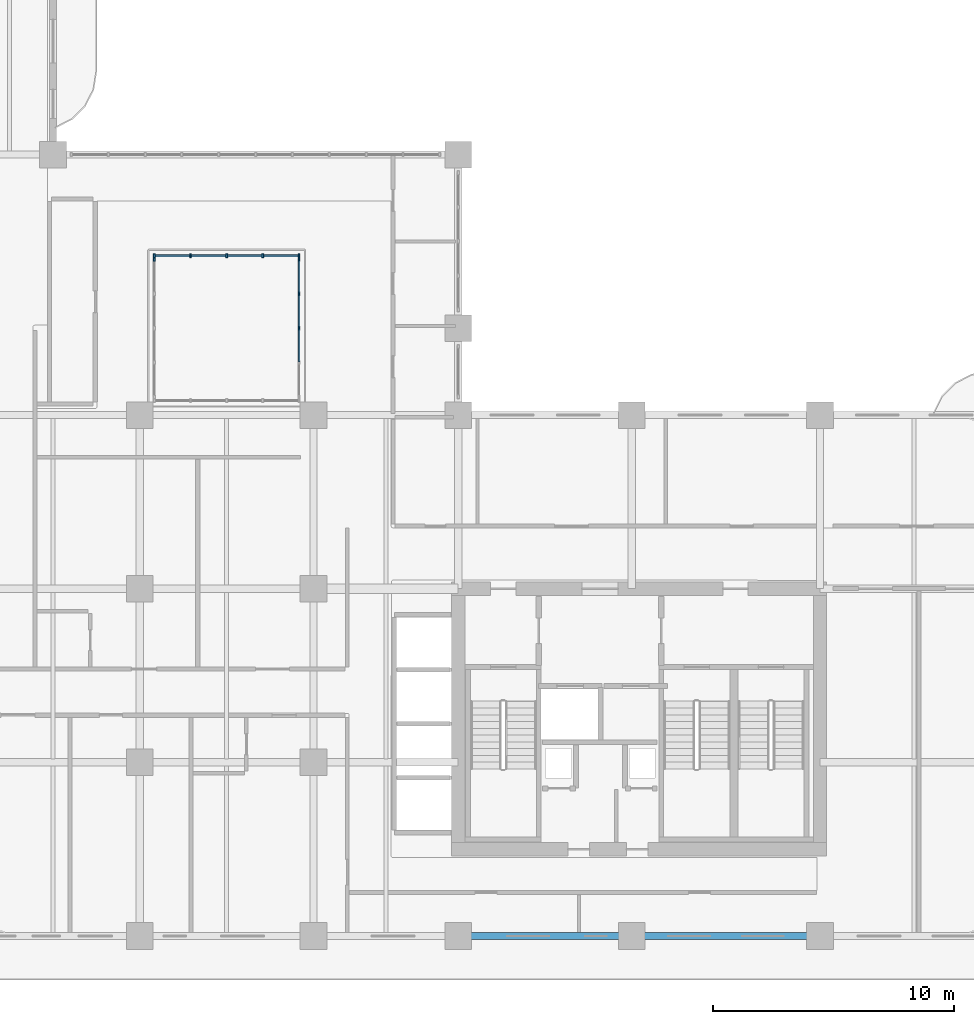
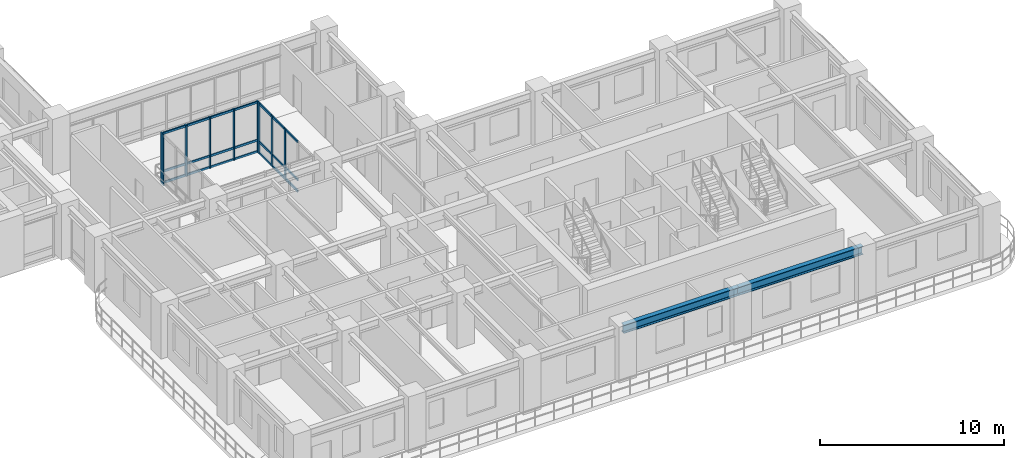
# One storey, part 3 of 19: 30 members, 2 beams, 3 elements without a shape of their own.
"""IFC4 building model written with IfcOpenShell, lengths in metres."""

from ifc_helpers import new_model, si_unit, derived_unit, direction, frame, origin, origin_2d, place, context, subcontext, project, spatial, rectangle, i_section, extrude, source, transform, mapped, material, layer, layer_set, material_profile, profile_set, type_object, element, aggregate, save


model = new_model("IFC4")

# Units and contexts
model_context = context("Model", 3, precision=1e-05, world=origin(), true_north=direction((0.0, 1.0)))
body_context = subcontext(model_context, "Body", "Model", "MODEL_VIEW")
ifc_project = project(units=[si_unit("LENGTHUNIT", "METRE"), si_unit("AREAUNIT", "SQUARE_METRE"), si_unit("VOLUMEUNIT", "CUBIC_METRE"), si_unit("PLANEANGLEUNIT", "RADIAN"), si_unit("MASSUNIT", "GRAM", prefix="KILO"), si_unit("THERMODYNAMICTEMPERATUREUNIT", "KELVIN"), si_unit("POWERUNIT", "WATT"), derived_unit("THERMALTRANSMITTANCEUNIT", [(si_unit("POWERUNIT", "WATT"), 1), (si_unit("AREAUNIT", "SQUARE_METRE"), -1), (si_unit("THERMODYNAMICTEMPERATUREUNIT", "KELVIN"), -1)])], contexts=[model_context])

# Site, building, storey
site_placement = place(None, origin())
site = spatial("IfcSite", under=ifc_project, at=site_placement, CompositionType="ELEMENT")
building_placement = place(site_placement, origin())
building = spatial("IfcBuilding", under=site, at=building_placement, Name="Zahravan Archway Hotel and Residences", CompositionType="ELEMENT")
storey_placement = place(building_placement, frame((0.0, 0.0, 102.699951171875)))
storey = spatial("IfcBuildingStorey", under=building, at=storey_placement, Name="L25", CompositionType="ELEMENT", Elevation=102.699951171875)

# Beams
ifc_material_1 = material(Name="Structural Steel S355JR", Category="steel")
ifc_material_profile_1 = material_profile(ifc_material_1, i_section(OverallWidth=0.300048828125, OverallDepth=0.550048828125, WebThickness=0.014892578125, FlangeThickness=0.029052734375, FilletRadius=0.027099609375, at=origin_2d()), Name="HEB 550", Category="steel")
ifc_profile_set_1 = profile_set([ifc_material_profile_1], Name="Structural Steel S355JR")
beam_type = type_object("IfcBeamType", Name="BM-PRI-HEB550", PredefinedType="BEAM", material=ifc_profile_set_1)
shared_shape_1 = source(origin(), body_context, "Body", "SweptSolid", [
    extrude(i_section(OverallWidth=0.300048828125, OverallDepth=0.550048828125, WebThickness=0.014892578125, FlangeThickness=0.029052734375, FilletRadius=0.027099609375, at=origin_2d()), origin(), (0.0, 0.0, 1.0), 7.199951171875),
])
beam_1_placement = place(storey_placement, frame((34.800048828125, 0.0, 3.125), z_axis=(1.0, 0.0, 0.0), x_axis=(0.0, 1.0, 0.0)))
element("IfcBeam", 1, at=beam_1_placement, inside=storey, type_object=beam_type, Name="L25 Primary Girder EW-04", PredefinedType="BEAM", context=body_context, shape_type="MappedRepresentation", body=[
    mapped(shared_shape_1, transform((0.0, 0.0, 0.0), scale=1.0)),
])
shared_shape_2 = source(origin(), body_context, "Body", "SweptSolid", [
    extrude(i_section(OverallWidth=0.300048828125, OverallDepth=0.550048828125, WebThickness=0.014892578125, FlangeThickness=0.029052734375, FilletRadius=0.027099609375, at=origin_2d()), origin(), (0.0, 0.0, 1.0), 7.800048828125),
])
beam_2_placement = place(storey_placement, frame((42.0, 0.0, 3.125), z_axis=(1.0, 0.0, 0.0), x_axis=(0.0, 1.0, 0.0)))
element("IfcBeam", 2, at=beam_2_placement, inside=storey, type_object=beam_type, Name="L25 Primary Girder EW-05", PredefinedType="BEAM", context=body_context, shape_type="MappedRepresentation", body=[
    mapped(shared_shape_2, transform((0.0, 0.0, 0.0), scale=1.0)),
])

# Curtain wall, members
ifc_material_2 = material(Name="Bronze-Anodized Unitised Aluminium & Low-E Glass", Category="aluminium")
ifc_layer = layer(ifc_material_2, 0.179931640625, Name="Bronze-Anodized Unitised Aluminium & Low-E Glass", Category="aluminium")
ifc_layer_set = layer_set([ifc_layer], Name="Bronze-Anodized Unitised Aluminium & Low-E Glass")
curtain_wall_type = type_object("IfcCurtainWallType", Name="CW-ATR-GLAZ", PredefinedType="NOTDEFINED", material=ifc_layer_set)
curtain_wall_1_placement = place(storey_placement, origin())
curtain_wall_1 = element("IfcCurtainWall", 3, at=curtain_wall_1_placement, inside=storey, type_object=curtain_wall_type, Name="L25 Curtain Wall CW-ATR-L25-N-1", PredefinedType="NOTDEFINED")
ifc_material_3 = material(Name="Bronze-Anodized Extruded Aluminium", Category="aluminium")
ifc_material_profile_2 = material_profile(ifc_material_3, rectangle(XDim=0.080078125, YDim=0.139892578125, at=origin_2d()), Name="TRN 80x140", Category="aluminium")
ifc_profile_set_2 = profile_set([ifc_material_profile_2], Name="Bronze-Anodized Extruded Aluminium")
member_type_1 = type_object("IfcMemberType", Name="CWM-TRN-140", PredefinedType="USERDEFINED", material=ifc_profile_set_2)
shared_shape_3 = source(origin(), body_context, "Body", "SweptSolid", [
    extrude(rectangle(XDim=0.080078125, YDim=0.139892578125, at=origin_2d()), origin(), (0.0, 0.0, 1.0), 1.419921875),
])
member_1_placement = place(storey_placement, frame((22.239990234375, 28.199951171875, 0.070068359375), z_axis=(1.0, 0.0, 0.0), x_axis=(0.0, 1.0, 0.0)))
member_1 = element("IfcMember", 4, at=member_1_placement, type_object=member_type_1, Name="CW-ATR-L25-N-1 Transom 0-1", ObjectType="TRANSOM", PredefinedType="USERDEFINED", context=body_context, shape_type="MappedRepresentation", body=[
    mapped(shared_shape_3, transform((0.0, 0.0, 0.0), scale=1.0)),
])
member_2_placement = place(storey_placement, frame((22.239990234375, 28.199951171875, 0.816162109375), z_axis=(1.0, 0.0, 0.0), x_axis=(0.0, 1.0, 0.0)))
member_2 = element("IfcMember", 5, at=member_2_placement, type_object=member_type_1, Name="CW-ATR-L25-N-1 Transom 0-2", ObjectType="TRANSOM", PredefinedType="USERDEFINED", context=body_context, shape_type="MappedRepresentation", body=[
    mapped(shared_shape_3, transform((0.0, 0.0, 0.0), scale=1.0)),
])
member_3_placement = place(storey_placement, frame((22.239990234375, 28.199951171875, 3.330078125), z_axis=(1.0, 0.0, 0.0), x_axis=(0.0, 1.0, 0.0)))
member_3 = element("IfcMember", 6, at=member_3_placement, type_object=member_type_1, Name="CW-ATR-L25-N-1 Transom 0-3", ObjectType="TRANSOM", PredefinedType="USERDEFINED", context=body_context, shape_type="MappedRepresentation", body=[
    mapped(shared_shape_3, transform((0.0, 0.0, 0.0), scale=1.0)),
])
member_4_placement = place(storey_placement, frame((23.739990234375, 28.199951171875, 0.070068359375), z_axis=(1.0, 0.0, 0.0), x_axis=(0.0, 1.0, 0.0)))
member_4 = element("IfcMember", 7, at=member_4_placement, type_object=member_type_1, Name="CW-ATR-L25-N-1 Transom 1-1", ObjectType="TRANSOM", PredefinedType="USERDEFINED", context=body_context, shape_type="MappedRepresentation", body=[
    mapped(shared_shape_3, transform((0.0, 0.0, 0.0), scale=1.0)),
])
member_5_placement = place(storey_placement, frame((23.739990234375, 28.199951171875, 0.816162109375), z_axis=(1.0, 0.0, 0.0), x_axis=(0.0, 1.0, 0.0)))
member_5 = element("IfcMember", 8, at=member_5_placement, type_object=member_type_1, Name="CW-ATR-L25-N-1 Transom 1-2", ObjectType="TRANSOM", PredefinedType="USERDEFINED", context=body_context, shape_type="MappedRepresentation", body=[
    mapped(shared_shape_3, transform((0.0, 0.0, 0.0), scale=1.0)),
])
member_6_placement = place(storey_placement, frame((23.739990234375, 28.199951171875, 3.330078125), z_axis=(1.0, 0.0, 0.0), x_axis=(0.0, 1.0, 0.0)))
member_6 = element("IfcMember", 9, at=member_6_placement, type_object=member_type_1, Name="CW-ATR-L25-N-1 Transom 1-3", ObjectType="TRANSOM", PredefinedType="USERDEFINED", context=body_context, shape_type="MappedRepresentation", body=[
    mapped(shared_shape_3, transform((0.0, 0.0, 0.0), scale=1.0)),
])
member_7_placement = place(storey_placement, frame((25.239990234375, 28.199951171875, 0.070068359375), z_axis=(1.0, 0.0, 0.0), x_axis=(0.0, 1.0, 0.0)))
member_7 = element("IfcMember", 10, at=member_7_placement, type_object=member_type_1, Name="CW-ATR-L25-N-1 Transom 2-1", ObjectType="TRANSOM", PredefinedType="USERDEFINED", context=body_context, shape_type="MappedRepresentation", body=[
    mapped(shared_shape_3, transform((0.0, 0.0, 0.0), scale=1.0)),
])
member_8_placement = place(storey_placement, frame((25.239990234375, 28.199951171875, 0.816162109375), z_axis=(1.0, 0.0, 0.0), x_axis=(0.0, 1.0, 0.0)))
member_8 = element("IfcMember", 11, at=member_8_placement, type_object=member_type_1, Name="CW-ATR-L25-N-1 Transom 2-2", ObjectType="TRANSOM", PredefinedType="USERDEFINED", context=body_context, shape_type="MappedRepresentation", body=[
    mapped(shared_shape_3, transform((0.0, 0.0, 0.0), scale=1.0)),
])
member_9_placement = place(storey_placement, frame((25.239990234375, 28.199951171875, 3.330078125), z_axis=(1.0, 0.0, 0.0), x_axis=(0.0, 1.0, 0.0)))
member_9 = element("IfcMember", 12, at=member_9_placement, type_object=member_type_1, Name="CW-ATR-L25-N-1 Transom 2-3", ObjectType="TRANSOM", PredefinedType="USERDEFINED", context=body_context, shape_type="MappedRepresentation", body=[
    mapped(shared_shape_3, transform((0.0, 0.0, 0.0), scale=1.0)),
])
member_10_placement = place(storey_placement, frame((26.739990234375, 28.199951171875, 0.070068359375), z_axis=(1.0, 0.0, 0.0), x_axis=(0.0, 1.0, 0.0)))
member_10 = element("IfcMember", 13, at=member_10_placement, type_object=member_type_1, Name="CW-ATR-L25-N-1 Transom 3-1", ObjectType="TRANSOM", PredefinedType="USERDEFINED", context=body_context, shape_type="MappedRepresentation", body=[
    mapped(shared_shape_3, transform((0.0, 0.0, 0.0), scale=1.0)),
])
member_11_placement = place(storey_placement, frame((26.739990234375, 28.199951171875, 0.816162109375), z_axis=(1.0, 0.0, 0.0), x_axis=(0.0, 1.0, 0.0)))
member_11 = element("IfcMember", 14, at=member_11_placement, type_object=member_type_1, Name="CW-ATR-L25-N-1 Transom 3-2", ObjectType="TRANSOM", PredefinedType="USERDEFINED", context=body_context, shape_type="MappedRepresentation", body=[
    mapped(shared_shape_3, transform((0.0, 0.0, 0.0), scale=1.0)),
])
member_12_placement = place(storey_placement, frame((26.739990234375, 28.199951171875, 3.330078125), z_axis=(1.0, 0.0, 0.0), x_axis=(0.0, 1.0, 0.0)))
member_12 = element("IfcMember", 15, at=member_12_placement, type_object=member_type_1, Name="CW-ATR-L25-N-1 Transom 3-3", ObjectType="TRANSOM", PredefinedType="USERDEFINED", context=body_context, shape_type="MappedRepresentation", body=[
    mapped(shared_shape_3, transform((0.0, 0.0, 0.0), scale=1.0)),
])

curtain_wall_2_placement = place(storey_placement, origin())
curtain_wall_2 = element("IfcCurtainWall", 16, at=curtain_wall_2_placement, inside=storey, type_object=curtain_wall_type, Name="L25 Curtain Wall CW-ATR-L25-E-1", PredefinedType="NOTDEFINED")
shared_shape_4 = source(origin(), body_context, "Body", "SweptSolid", [
    extrude(rectangle(XDim=0.080078125, YDim=0.139892578125, at=origin_2d()), origin(), (0.0, 0.0, 1.0), 1.344970703125),
])
member_13_placement = place(storey_placement, frame((28.199951171875, 23.81494140625, 0.070068359375), z_axis=(0.0, 1.0, 0.0), x_axis=(-1.0, 0.0, 0.0)))
member_13 = element("IfcMember", 17, at=member_13_placement, type_object=member_type_1, Name="CW-ATR-L25-E-1 Transom 1-1", ObjectType="TRANSOM", PredefinedType="USERDEFINED", context=body_context, shape_type="MappedRepresentation", body=[
    mapped(shared_shape_4, transform((0.0, 0.0, 0.0), scale=1.0)),
])
member_14_placement = place(storey_placement, frame((28.199951171875, 23.81494140625, 0.816162109375), z_axis=(0.0, 1.0, 0.0), x_axis=(-1.0, 0.0, 0.0)))
member_14 = element("IfcMember", 18, at=member_14_placement, type_object=member_type_1, Name="CW-ATR-L25-E-1 Transom 1-2", ObjectType="TRANSOM", PredefinedType="USERDEFINED", context=body_context, shape_type="MappedRepresentation", body=[
    mapped(shared_shape_4, transform((0.0, 0.0, 0.0), scale=1.0)),
])
member_15_placement = place(storey_placement, frame((28.199951171875, 23.81494140625, 3.330078125), z_axis=(0.0, 1.0, 0.0), x_axis=(-1.0, 0.0, 0.0)))
member_15 = element("IfcMember", 19, at=member_15_placement, type_object=member_type_1, Name="CW-ATR-L25-E-1 Transom 1-3", ObjectType="TRANSOM", PredefinedType="USERDEFINED", context=body_context, shape_type="MappedRepresentation", body=[
    mapped(shared_shape_4, transform((0.0, 0.0, 0.0), scale=1.0)),
])
member_16_placement = place(storey_placement, frame((28.199951171875, 25.239990234375, 0.070068359375), z_axis=(0.0, 1.0, 0.0), x_axis=(-1.0, 0.0, 0.0)))
member_16 = element("IfcMember", 20, at=member_16_placement, type_object=member_type_1, Name="CW-ATR-L25-E-1 Transom 2-1", ObjectType="TRANSOM", PredefinedType="USERDEFINED", context=body_context, shape_type="MappedRepresentation", body=[
    mapped(shared_shape_4, transform((0.0, 0.0, 0.0), scale=1.0)),
])
member_17_placement = place(storey_placement, frame((28.199951171875, 25.239990234375, 0.816162109375), z_axis=(0.0, 1.0, 0.0), x_axis=(-1.0, 0.0, 0.0)))
member_17 = element("IfcMember", 21, at=member_17_placement, type_object=member_type_1, Name="CW-ATR-L25-E-1 Transom 2-2", ObjectType="TRANSOM", PredefinedType="USERDEFINED", context=body_context, shape_type="MappedRepresentation", body=[
    mapped(shared_shape_4, transform((0.0, 0.0, 0.0), scale=1.0)),
])
member_18_placement = place(storey_placement, frame((28.199951171875, 25.239990234375, 3.330078125), z_axis=(0.0, 1.0, 0.0), x_axis=(-1.0, 0.0, 0.0)))
member_18 = element("IfcMember", 22, at=member_18_placement, type_object=member_type_1, Name="CW-ATR-L25-E-1 Transom 2-3", ObjectType="TRANSOM", PredefinedType="USERDEFINED", context=body_context, shape_type="MappedRepresentation", body=[
    mapped(shared_shape_4, transform((0.0, 0.0, 0.0), scale=1.0)),
])
member_19_placement = place(storey_placement, frame((28.199951171875, 26.6650390625, 0.070068359375), z_axis=(0.0, 1.0, 0.0), x_axis=(-1.0, 0.0, 0.0)))
member_19 = element("IfcMember", 23, at=member_19_placement, type_object=member_type_1, Name="CW-ATR-L25-E-1 Transom 3-1", ObjectType="TRANSOM", PredefinedType="USERDEFINED", context=body_context, shape_type="MappedRepresentation", body=[
    mapped(shared_shape_4, transform((0.0, 0.0, 0.0), scale=1.0)),
])
member_20_placement = place(storey_placement, frame((28.199951171875, 26.6650390625, 0.816162109375), z_axis=(0.0, 1.0, 0.0), x_axis=(-1.0, 0.0, 0.0)))
member_20 = element("IfcMember", 24, at=member_20_placement, type_object=member_type_1, Name="CW-ATR-L25-E-1 Transom 3-2", ObjectType="TRANSOM", PredefinedType="USERDEFINED", context=body_context, shape_type="MappedRepresentation", body=[
    mapped(shared_shape_4, transform((0.0, 0.0, 0.0), scale=1.0)),
])
member_21_placement = place(storey_placement, frame((28.199951171875, 26.6650390625, 3.330078125), z_axis=(0.0, 1.0, 0.0), x_axis=(-1.0, 0.0, 0.0)))
member_21 = element("IfcMember", 25, at=member_21_placement, type_object=member_type_1, Name="CW-ATR-L25-E-1 Transom 3-3", ObjectType="TRANSOM", PredefinedType="USERDEFINED", context=body_context, shape_type="MappedRepresentation", body=[
    mapped(shared_shape_4, transform((0.0, 0.0, 0.0), scale=1.0)),
])

# Member
ifc_material_profile_3 = material_profile(ifc_material_3, rectangle(XDim=0.080078125, YDim=0.159912109375, at=origin_2d()), Name="MUL 80x160", Category="aluminium")
ifc_profile_set_3 = profile_set([ifc_material_profile_3], Name="Bronze-Anodized Extruded Aluminium")
member_type_2 = type_object("IfcMemberType", Name="CWM-MUL-160", PredefinedType="MULLION", material=ifc_profile_set_3)
shared_shape_5 = source(origin(), body_context, "Body", "SweptSolid", [
    extrude(rectangle(XDim=0.080078125, YDim=0.159912109375, at=origin_2d()), origin(), (0.0, 0.0, 1.0), 3.400146484375),
])
member_22_placement = place(storey_placement, frame((22.199951171875, 28.199951171875, 0.0), z_axis=(0.0, 0.0, 1.0), x_axis=(1.0, 0.0, 0.0)))
member_22 = element("IfcMember", 26, at=member_22_placement, type_object=member_type_2, Name="CW-ATR-L25-N-1 Mullion 0", PredefinedType="MULLION", context=body_context, shape_type="MappedRepresentation", body=[
    mapped(shared_shape_5, transform((0.0, 0.0, 0.0), scale=1.0)),
])

member_23_placement = place(storey_placement, frame((23.699951171875, 28.199951171875, 0.0), z_axis=(0.0, 0.0, 1.0), x_axis=(1.0, 0.0, 0.0)))
member_23 = element("IfcMember", 27, at=member_23_placement, type_object=member_type_2, Name="CW-ATR-L25-N-1 Mullion 1", PredefinedType="MULLION", context=body_context, shape_type="MappedRepresentation", body=[
    mapped(shared_shape_5, transform((0.0, 0.0, 0.0), scale=1.0)),
])

member_24_placement = place(storey_placement, frame((25.199951171875, 28.199951171875, 0.0), z_axis=(0.0, 0.0, 1.0), x_axis=(1.0, 0.0, 0.0)))
member_24 = element("IfcMember", 28, at=member_24_placement, type_object=member_type_2, Name="CW-ATR-L25-N-1 Mullion 2", PredefinedType="MULLION", context=body_context, shape_type="MappedRepresentation", body=[
    mapped(shared_shape_5, transform((0.0, 0.0, 0.0), scale=1.0)),
])

member_25_placement = place(storey_placement, frame((26.699951171875, 28.199951171875, 0.0), z_axis=(0.0, 0.0, 1.0), x_axis=(1.0, 0.0, 0.0)))
member_25 = element("IfcMember", 29, at=member_25_placement, type_object=member_type_2, Name="CW-ATR-L25-N-1 Mullion 3", PredefinedType="MULLION", context=body_context, shape_type="MappedRepresentation", body=[
    mapped(shared_shape_5, transform((0.0, 0.0, 0.0), scale=1.0)),
])

member_26_placement = place(storey_placement, frame((28.199951171875, 28.199951171875, 0.0), z_axis=(0.0, 0.0, 1.0), x_axis=(1.0, 0.0, 0.0)))
member_26 = element("IfcMember", 30, at=member_26_placement, type_object=member_type_2, Name="CW-ATR-L25-N-1 Mullion 4", PredefinedType="MULLION", context=body_context, shape_type="MappedRepresentation", body=[
    mapped(shared_shape_5, transform((0.0, 0.0, 0.0), scale=1.0)),
])

aggregate(curtain_wall_1, [member_22, member_23, member_24, member_25, member_26, member_1, member_2, member_3, member_4, member_5, member_6, member_7, member_8, member_9, member_10, member_11, member_12])

# Curtain wall, member
curtain_wall_3_placement = place(storey_placement, origin())
curtain_wall_3 = element("IfcCurtainWall", 31, at=curtain_wall_3_placement, inside=storey, type_object=curtain_wall_type, Name="L25 Curtain Wall CW-ATR-L25-W-1", PredefinedType="NOTDEFINED")
member_27_placement = place(storey_placement, frame((22.199951171875, 28.050048828125, 0.0), z_axis=(0.0, 0.0, 1.0), x_axis=(1.0, 0.0, 0.0)))
member_27 = element("IfcMember", 32, at=member_27_placement, type_object=member_type_2, Name="CW-ATR-L25-W-1 Mullion 4", PredefinedType="MULLION", context=body_context, shape_type="MappedRepresentation", body=[
    mapped(shared_shape_5, transform((0.0, 0.0, 0.0), scale=1.0)),
])
aggregate(curtain_wall_3, [member_27])

# Member
member_28_placement = place(storey_placement, frame((28.199951171875, 25.199951171875, 0.0), z_axis=(0.0, 0.0, 1.0), x_axis=(1.0, 0.0, 0.0)))
member_28 = element("IfcMember", 33, at=member_28_placement, type_object=member_type_2, Name="CW-ATR-L25-E-1 Mullion 2", PredefinedType="MULLION", context=body_context, shape_type="MappedRepresentation", body=[
    mapped(shared_shape_5, transform((0.0, 0.0, 0.0), scale=1.0)),
])

member_29_placement = place(storey_placement, frame((28.199951171875, 26.625, 0.0), z_axis=(0.0, 0.0, 1.0), x_axis=(1.0, 0.0, 0.0)))
member_29 = element("IfcMember", 34, at=member_29_placement, type_object=member_type_2, Name="CW-ATR-L25-E-1 Mullion 3", PredefinedType="MULLION", context=body_context, shape_type="MappedRepresentation", body=[
    mapped(shared_shape_5, transform((0.0, 0.0, 0.0), scale=1.0)),
])

member_30_placement = place(storey_placement, frame((28.199951171875, 28.050048828125, 0.0), z_axis=(0.0, 0.0, 1.0), x_axis=(1.0, 0.0, 0.0)))
member_30 = element("IfcMember", 35, at=member_30_placement, type_object=member_type_2, Name="CW-ATR-L25-E-1 Mullion 4", PredefinedType="MULLION", context=body_context, shape_type="MappedRepresentation", body=[
    mapped(shared_shape_5, transform((0.0, 0.0, 0.0), scale=1.0)),
])

aggregate(curtain_wall_2, [member_28, member_29, member_30, member_13, member_14, member_15, member_16, member_17, member_18, member_19, member_20, member_21])

save(model, "model.ifc")
